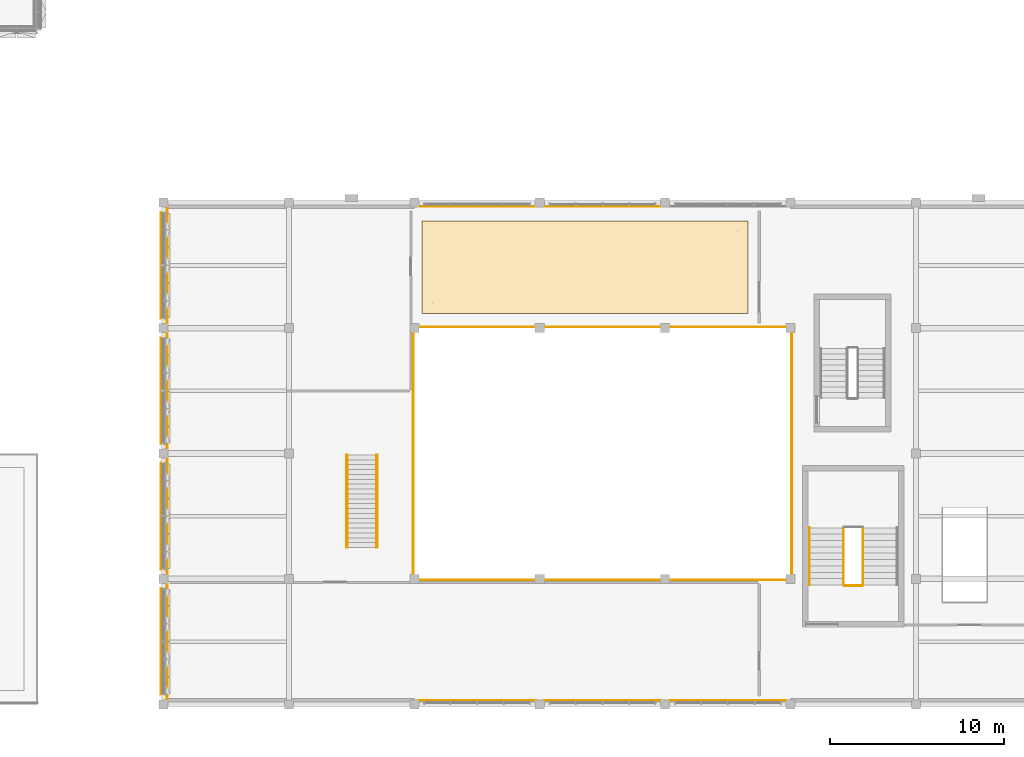
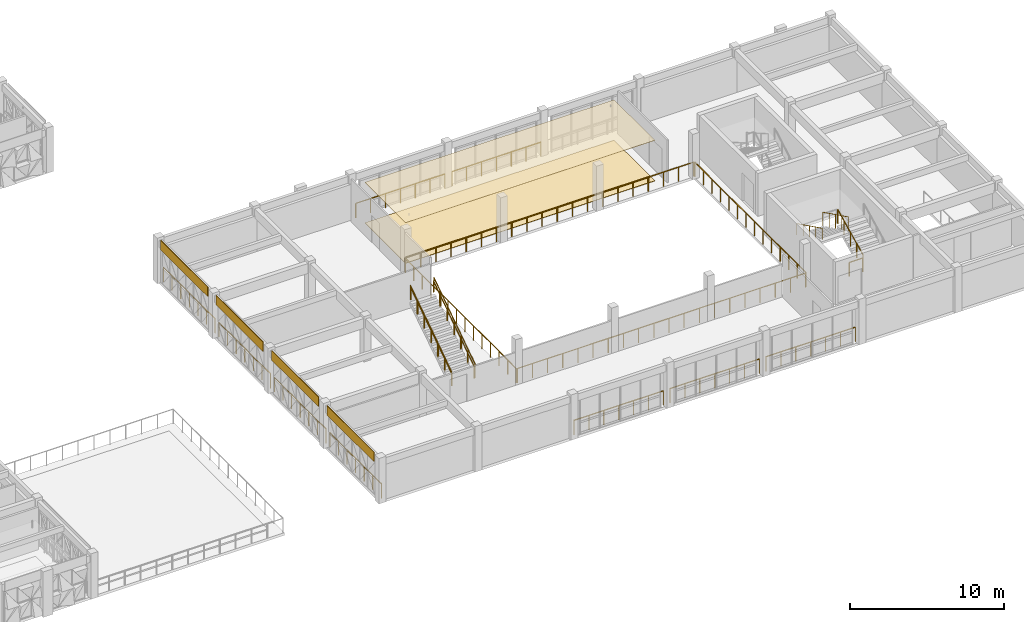
# One storey, part 82 of 99: 21 railings, 6 coverings.
"""IFC4 building model written with IfcOpenShell, lengths in metres."""

from ifc_helpers import new_model, si_unit, direction, frame, origin, origin_2d, place, context, subcontext, project, spatial, polyline, circle, outline, extrude, material, layer, layer_set, type_object, element, save


model = new_model("IFC4")

# Units and contexts
model_context = context("Model", 3, precision=1e-05, world=origin(), true_north=direction((0.0, 1.0)))
body_context = subcontext(model_context, "Body", "Model", "MODEL_VIEW")
ifc_project = project(units=[si_unit("LENGTHUNIT", "METRE"), si_unit("AREAUNIT", "SQUARE_METRE"), si_unit("VOLUMEUNIT", "CUBIC_METRE"), si_unit("PLANEANGLEUNIT", "RADIAN"), si_unit("MASSUNIT", "GRAM", prefix="KILO")], contexts=[model_context])

# Site, building, storey
site_placement = place(None, origin())
site = spatial("IfcSite", under=ifc_project, at=site_placement, CompositionType="ELEMENT")
building_placement = place(site_placement, origin())
building = spatial("IfcBuilding", under=site, at=building_placement, Name="Alvorim Cloister Faculty of Sciences", CompositionType="ELEMENT")
storey_placement = place(building_placement, frame((0.0, 0.0, 12.14990234375)))
storey = spatial("IfcBuildingStorey", under=building, at=storey_placement, Name="L03", CompositionType="ELEMENT", Elevation=12.14990234375)

# Coverings
ifc_material_1 = material(Name="Perforated Timber Acoustic Ceiling", Category="wood")
ifc_layer_1 = layer(ifc_material_1, 0.030029296875)
ifc_layer_set_1 = layer_set([ifc_layer_1], Name="Perforated Timber Acoustic Ceiling")
covering_type_1 = type_object("IfcCoveringType", Name="COV-CEIL-ACOUSTIC", PredefinedType="CEILING", material=ifc_layer_set_1)
covering_1_placement = place(storey_placement, frame((0.0, 0.0, 3.210205078125)))
element("IfcCovering", 1, at=covering_1_placement, inside=storey, type_object=covering_type_1, Name="Atrium L03 North Reading Gallery Acoustic Ceiling", PredefinedType="CEILING", context=body_context, shape_type="SweptSolid", body=[
    extrude(outline(polyline([(79.64990234375, 22.449951171875), (98.35009765625, 22.449951171875), (98.35009765625, 27.75), (79.64990234375, 27.75), (79.64990234375, 22.449951171875)])), origin(), (0.0, 0.0, 1.0), 0.02978515625),
])
ifc_material_2 = material(Name="Anodised Aluminium Alloy 6063-T6", Category="aluminium")
ifc_layer_2 = layer(ifc_material_2, 0.031982421875)
ifc_layer_set_2 = layer_set([ifc_layer_2], Name="Anodised Aluminium Alloy 6063-T6")
covering_type_2 = type_object("IfcCoveringType", Name="COV-FAC-CAS", PredefinedType="CLADDING", material=ifc_layer_set_2)
for number, where, z_axis, x_axis, name in (
    (2, (64.64990234375, 0.5400390625, 2.830078125), (0.0, 0.0, 1.0), (0.0, 1.0, 0.0), "L03 Shifted Bar Slab-Edge Architectural Fascia"),
    (3, (64.64990234375, 7.739990234375, 2.830078125), (0.0, 0.0, 1.0), (0.0, 1.0, 0.0), "L03 Shifted Bar Slab-Edge Architectural Fascia"),
    (4, (64.64990234375, 14.93994140625, 2.830078125), (0.0, 0.0, 1.0), (0.0, 1.0, 0.0), "L03 Shifted Bar Slab-Edge Architectural Fascia"),
    (5, (64.64990234375, 22.139892578125, 2.830078125), (0.0, 0.0, 1.0), (0.0, 1.0, 0.0), "L03 Shifted Bar Slab-Edge Architectural Fascia"),
):
    element("IfcCovering", number, at=place(storey_placement, frame(where, z_axis=z_axis, x_axis=x_axis)), inside=storey, type_object=covering_type_2, Name=name, PredefinedType="CLADDING", context=body_context, shape_type="SweptSolid", body=[
        extrude(outline(polyline([(0.0, 0.0), (6.1201171875, 0.0), (6.1201171875, 0.760009765625), (0.0, 0.760009765625), (0.0, 0.0)])), frame((0.0, 0.0224609375, 0.0), z_axis=(0.0, -1.0, 0.0), x_axis=(1.0, 0.0, 0.0)), (0.0, 0.0, 1.0), 0.044921875),
    ])
ifc_material_3 = material(Name="Polished Mineral Terrazzo", Category="concrete")
ifc_layer_3 = layer(ifc_material_3, 0.030029296875)
ifc_layer_set_3 = layer_set([ifc_layer_3], Name="Polished Mineral Terrazzo")
covering_type_3 = type_object("IfcCoveringType", Name="COV-FLR-TERRAZZO", PredefinedType="FLOORING", material=ifc_layer_set_3)
covering_2_placement = place(storey_placement, origin())
element("IfcCovering", 6, at=covering_2_placement, inside=storey, type_object=covering_type_3, Name="Atrium L03 North Reading Gallery Floor Finish", PredefinedType="FLOORING", context=body_context, shape_type="SweptSolid", body=[
    extrude(outline(polyline([(79.64990234375, 22.449951171875), (98.35009765625, 22.449951171875), (98.35009765625, 27.75), (79.64990234375, 27.75), (79.64990234375, 22.449951171875)])), origin(), (0.0, 0.0, 1.0), 0.030029296875),
])

# Railings
ifc_material_4 = material(Name="Laminated Safety Glass and Bronze", Category="glass")
railing_type_1 = type_object("IfcRailingType", Name="RL-ATR-BAL-1150", PredefinedType="BALUSTRADE", material=ifc_material_4)
railing_1_placement = place(storey_placement, frame((93.85009765625, 0.219970703125, 0.0)))
element("IfcRailing", 7, at=railing_1_placement, inside=storey, type_object=railing_type_1, Name="L03 Curtain Wall Sill Guard BL-149", PredefinedType="BALUSTRADE", context=body_context, shape_type="SweptSolid", body=[
    extrude(circle(Radius=0.02392578125, at=origin_2d()), frame((0.0, 0.0, 1.1259765625), z_axis=(1.0, 0.0, 0.0), x_axis=(0.0, 1.0, 0.0)), (0.0, 0.0, 1.0), 6.699951171875),
    extrude(circle(Radius=0.02099609375, at=origin_2d()), origin(), (0.0, 0.0, 1.0), 1.101806640625),
    extrude(circle(Radius=0.02099609375, at=origin_2d()), frame((1.11669921875, 0.0, 0.0)), (0.0, 0.0, 1.0), 1.101806640625),
    extrude(circle(Radius=0.02099609375, at=origin_2d()), frame((2.2333984375, 0.0, 0.0)), (0.0, 0.0, 1.0), 1.101806640625),
    extrude(circle(Radius=0.02099609375, at=origin_2d()), frame((3.35009765625, 0.0, 0.0)), (0.0, 0.0, 1.0), 1.101806640625),
    extrude(circle(Radius=0.02099609375, at=origin_2d()), frame((4.466552734375, 0.0, 0.0)), (0.0, 0.0, 1.0), 1.101806640625),
    extrude(circle(Radius=0.02099609375, at=origin_2d()), frame((5.583251953125, 0.0, 0.0)), (0.0, 0.0, 1.0), 1.101806640625),
    extrude(circle(Radius=0.02099609375, at=origin_2d()), frame((6.699951171875, 0.0, 0.0)), (0.0, 0.0, 1.0), 1.101806640625),
])
railing_2_placement = place(storey_placement, frame((86.64990234375, 0.219970703125, 0.0)))
element("IfcRailing", 8, at=railing_2_placement, inside=storey, type_object=railing_type_1, Name="L03 Curtain Wall Sill Guard BL-150", PredefinedType="BALUSTRADE", context=body_context, shape_type="SweptSolid", body=[
    extrude(circle(Radius=0.02392578125, at=origin_2d()), frame((0.0, 0.0, 1.1259765625), z_axis=(1.0, 0.0, 0.0), x_axis=(0.0, 1.0, 0.0)), (0.0, 0.0, 1.0), 6.7001953125),
    extrude(circle(Radius=0.02099609375, at=origin_2d()), origin(), (0.0, 0.0, 1.0), 1.101806640625),
    extrude(circle(Radius=0.02099609375, at=origin_2d()), frame((1.11669921875, 0.0, 0.0)), (0.0, 0.0, 1.0), 1.101806640625),
    extrude(circle(Radius=0.02099609375, at=origin_2d()), frame((2.2333984375, 0.0, 0.0)), (0.0, 0.0, 1.0), 1.101806640625),
    extrude(circle(Radius=0.02099609375, at=origin_2d()), frame((3.35009765625, 0.0, 0.0)), (0.0, 0.0, 1.0), 1.101806640625),
    extrude(circle(Radius=0.02099609375, at=origin_2d()), frame((4.466796875, 0.0, 0.0)), (0.0, 0.0, 1.0), 1.101806640625),
    extrude(circle(Radius=0.02099609375, at=origin_2d()), frame((5.58349609375, 0.0, 0.0)), (0.0, 0.0, 1.0), 1.101806640625),
    extrude(circle(Radius=0.02099609375, at=origin_2d()), frame((6.7001953125, 0.0, 0.0)), (0.0, 0.0, 1.0), 1.101806640625),
])
railing_3_placement = place(storey_placement, frame((79.449951171875, 0.219970703125, 0.0)))
element("IfcRailing", 9, at=railing_3_placement, inside=storey, type_object=railing_type_1, Name="L03 Curtain Wall Sill Guard BL-151", PredefinedType="BALUSTRADE", context=body_context, shape_type="SweptSolid", body=[
    extrude(circle(Radius=0.02392578125, at=origin_2d()), frame((0.0, 0.0, 1.1259765625), z_axis=(1.0, 0.0, 0.0), x_axis=(0.0, 1.0, 0.0)), (0.0, 0.0, 1.0), 6.699951171875),
    extrude(circle(Radius=0.02099609375, at=origin_2d()), origin(), (0.0, 0.0, 1.0), 1.101806640625),
    extrude(circle(Radius=0.02099609375, at=origin_2d()), frame((1.11669921875, 0.0, 0.0)), (0.0, 0.0, 1.0), 1.101806640625),
    extrude(circle(Radius=0.02099609375, at=origin_2d()), frame((2.2333984375, 0.0, 0.0)), (0.0, 0.0, 1.0), 1.101806640625),
    extrude(circle(Radius=0.02099609375, at=origin_2d()), frame((3.35009765625, 0.0, 0.0)), (0.0, 0.0, 1.0), 1.101806640625),
    extrude(circle(Radius=0.02099609375, at=origin_2d()), frame((4.466552734375, 0.0, 0.0)), (0.0, 0.0, 1.0), 1.101806640625),
    extrude(circle(Radius=0.02099609375, at=origin_2d()), frame((5.583251953125, 0.0, 0.0)), (0.0, 0.0, 1.0), 1.101806640625),
    extrude(circle(Radius=0.02099609375, at=origin_2d()), frame((6.699951171875, 0.0, 0.0)), (0.0, 0.0, 1.0), 1.101806640625),
])
for number, where, name in (
    (10, (65.02001953125, 0.25, 0.0), "L03 Curtain Wall Sill Guard BL-152"),
    (11, (65.02001953125, 7.449951171875, 0.0), "L03 Curtain Wall Sill Guard BL-153"),
):
    element("IfcRailing", number, at=place(storey_placement, frame(where)), inside=storey, type_object=railing_type_1, Name=name, PredefinedType="BALUSTRADE", context=body_context, shape_type="SweptSolid", body=[
        extrude(circle(Radius=0.02392578125, at=origin_2d()), frame((0.0, 0.0, 1.1259765625), z_axis=(0.0, 1.0, 0.0), x_axis=(-1.0, 0.0, 0.0)), (0.0, 0.0, 1.0), 6.699951171875),
        extrude(circle(Radius=0.02099609375, at=origin_2d()), origin(), (0.0, 0.0, 1.0), 1.101806640625),
        extrude(circle(Radius=0.02099609375, at=origin_2d()), frame((0.0, 1.11669921875, 0.0)), (0.0, 0.0, 1.0), 1.101806640625),
        extrude(circle(Radius=0.02099609375, at=origin_2d()), frame((0.0, 2.2333984375, 0.0)), (0.0, 0.0, 1.0), 1.101806640625),
        extrude(circle(Radius=0.02099609375, at=origin_2d()), frame((0.0, 3.35009765625, 0.0)), (0.0, 0.0, 1.0), 1.101806640625),
        extrude(circle(Radius=0.02099609375, at=origin_2d()), frame((0.0, 4.466552734375, 0.0)), (0.0, 0.0, 1.0), 1.101806640625),
        extrude(circle(Radius=0.02099609375, at=origin_2d()), frame((0.0, 5.583251953125, 0.0)), (0.0, 0.0, 1.0), 1.101806640625),
        extrude(circle(Radius=0.02099609375, at=origin_2d()), frame((0.0, 6.699951171875, 0.0)), (0.0, 0.0, 1.0), 1.101806640625),
    ])
railing_4_placement = place(storey_placement, frame((65.02001953125, 14.64990234375, 0.0)))
element("IfcRailing", 12, at=railing_4_placement, inside=storey, type_object=railing_type_1, Name="L03 Curtain Wall Sill Guard BL-154", PredefinedType="BALUSTRADE", context=body_context, shape_type="SweptSolid", body=[
    extrude(circle(Radius=0.02392578125, at=origin_2d()), frame((0.0, 0.0, 1.1259765625), z_axis=(0.0, 1.0, 0.0), x_axis=(-1.0, 0.0, 0.0)), (0.0, 0.0, 1.0), 6.7001953125),
    extrude(circle(Radius=0.02099609375, at=origin_2d()), origin(), (0.0, 0.0, 1.0), 1.101806640625),
    extrude(circle(Radius=0.02099609375, at=origin_2d()), frame((0.0, 1.11669921875, 0.0)), (0.0, 0.0, 1.0), 1.101806640625),
    extrude(circle(Radius=0.02099609375, at=origin_2d()), frame((0.0, 2.2333984375, 0.0)), (0.0, 0.0, 1.0), 1.101806640625),
    extrude(circle(Radius=0.02099609375, at=origin_2d()), frame((0.0, 3.35009765625, 0.0)), (0.0, 0.0, 1.0), 1.101806640625),
    extrude(circle(Radius=0.02099609375, at=origin_2d()), frame((0.0, 4.466796875, 0.0)), (0.0, 0.0, 1.0), 1.101806640625),
    extrude(circle(Radius=0.02099609375, at=origin_2d()), frame((0.0, 5.58349609375, 0.0)), (0.0, 0.0, 1.0), 1.101806640625),
    extrude(circle(Radius=0.02099609375, at=origin_2d()), frame((0.0, 6.7001953125, 0.0)), (0.0, 0.0, 1.0), 1.101806640625),
])
railing_5_placement = place(storey_placement, frame((65.02001953125, 21.85009765625, 0.0)))
element("IfcRailing", 13, at=railing_5_placement, inside=storey, type_object=railing_type_1, Name="L03 Curtain Wall Sill Guard BL-155", PredefinedType="BALUSTRADE", context=body_context, shape_type="SweptSolid", body=[
    extrude(circle(Radius=0.02392578125, at=origin_2d()), frame((0.0, 0.0, 1.1259765625), z_axis=(0.0, 1.0, 0.0), x_axis=(-1.0, 0.0, 0.0)), (0.0, 0.0, 1.0), 6.699951171875),
    extrude(circle(Radius=0.02099609375, at=origin_2d()), origin(), (0.0, 0.0, 1.0), 1.101806640625),
    extrude(circle(Radius=0.02099609375, at=origin_2d()), frame((0.0, 1.11669921875, 0.0)), (0.0, 0.0, 1.0), 1.101806640625),
    extrude(circle(Radius=0.02099609375, at=origin_2d()), frame((0.0, 2.2333984375, 0.0)), (0.0, 0.0, 1.0), 1.101806640625),
    extrude(circle(Radius=0.02099609375, at=origin_2d()), frame((0.0, 3.35009765625, 0.0)), (0.0, 0.0, 1.0), 1.101806640625),
    extrude(circle(Radius=0.02099609375, at=origin_2d()), frame((0.0, 4.466552734375, 0.0)), (0.0, 0.0, 1.0), 1.101806640625),
    extrude(circle(Radius=0.02099609375, at=origin_2d()), frame((0.0, 5.583251953125, 0.0)), (0.0, 0.0, 1.0), 1.101806640625),
    extrude(circle(Radius=0.02099609375, at=origin_2d()), frame((0.0, 6.699951171875, 0.0)), (0.0, 0.0, 1.0), 1.101806640625),
])
railing_6_placement = place(storey_placement, frame((79.449951171875, 28.580078125, 0.0)))
element("IfcRailing", 14, at=railing_6_placement, inside=storey, type_object=railing_type_1, Name="L03 Curtain Wall Sill Guard BL-156", PredefinedType="BALUSTRADE", context=body_context, shape_type="SweptSolid", body=[
    extrude(circle(Radius=0.02392578125, at=origin_2d()), frame((0.0, 0.0, 1.1259765625), z_axis=(1.0, 0.0, 0.0), x_axis=(0.0, 1.0, 0.0)), (0.0, 0.0, 1.0), 6.699951171875),
    extrude(circle(Radius=0.02099609375, at=origin_2d()), origin(), (0.0, 0.0, 1.0), 1.101806640625),
    extrude(circle(Radius=0.02099609375, at=origin_2d()), frame((1.11669921875, 0.0, 0.0)), (0.0, 0.0, 1.0), 1.101806640625),
    extrude(circle(Radius=0.02099609375, at=origin_2d()), frame((2.2333984375, 0.0, 0.0)), (0.0, 0.0, 1.0), 1.101806640625),
    extrude(circle(Radius=0.02099609375, at=origin_2d()), frame((3.35009765625, 0.0, 0.0)), (0.0, 0.0, 1.0), 1.101806640625),
    extrude(circle(Radius=0.02099609375, at=origin_2d()), frame((4.466552734375, 0.0, 0.0)), (0.0, 0.0, 1.0), 1.101806640625),
    extrude(circle(Radius=0.02099609375, at=origin_2d()), frame((5.583251953125, 0.0, 0.0)), (0.0, 0.0, 1.0), 1.101806640625),
    extrude(circle(Radius=0.02099609375, at=origin_2d()), frame((6.699951171875, 0.0, 0.0)), (0.0, 0.0, 1.0), 1.101806640625),
])
railing_7_placement = place(storey_placement, frame((86.64990234375, 28.580078125, 0.0)))
element("IfcRailing", 15, at=railing_7_placement, inside=storey, type_object=railing_type_1, Name="L03 Curtain Wall Sill Guard BL-157", PredefinedType="BALUSTRADE", context=body_context, shape_type="SweptSolid", body=[
    extrude(circle(Radius=0.02392578125, at=origin_2d()), frame((0.0, 0.0, 1.1259765625), z_axis=(1.0, 0.0, 0.0), x_axis=(0.0, 1.0, 0.0)), (0.0, 0.0, 1.0), 6.7001953125),
    extrude(circle(Radius=0.02099609375, at=origin_2d()), origin(), (0.0, 0.0, 1.0), 1.101806640625),
    extrude(circle(Radius=0.02099609375, at=origin_2d()), frame((1.11669921875, 0.0, 0.0)), (0.0, 0.0, 1.0), 1.101806640625),
    extrude(circle(Radius=0.02099609375, at=origin_2d()), frame((2.2333984375, 0.0, 0.0)), (0.0, 0.0, 1.0), 1.101806640625),
    extrude(circle(Radius=0.02099609375, at=origin_2d()), frame((3.35009765625, 0.0, 0.0)), (0.0, 0.0, 1.0), 1.101806640625),
    extrude(circle(Radius=0.02099609375, at=origin_2d()), frame((4.466796875, 0.0, 0.0)), (0.0, 0.0, 1.0), 1.101806640625),
    extrude(circle(Radius=0.02099609375, at=origin_2d()), frame((5.58349609375, 0.0, 0.0)), (0.0, 0.0, 1.0), 1.101806640625),
    extrude(circle(Radius=0.02099609375, at=origin_2d()), frame((6.7001953125, 0.0, 0.0)), (0.0, 0.0, 1.0), 1.101806640625),
])
railing_8_placement = place(storey_placement, frame((79.18994140625, 7.139892578125, 0.0)))
element("IfcRailing", 16, at=railing_8_placement, inside=storey, type_object=railing_type_1, Name="L03 Atrium Void Balustrade BL-323", PredefinedType="BALUSTRADE", context=body_context, shape_type="SweptSolid", body=[
    extrude(circle(Radius=0.02392578125, at=origin_2d()), frame((0.0, 0.0, 1.1259765625), z_axis=(1.0, 0.0, 0.0), x_axis=(0.0, 1.0, 0.0)), (0.0, 0.0, 1.0), 21.6201171875),
    extrude(circle(Radius=0.02099609375, at=origin_2d()), origin(), (0.0, 0.0, 1.0), 1.101806640625),
    extrude(circle(Radius=0.02099609375, at=origin_2d()), frame((1.137939453125, 0.0, 0.0)), (0.0, 0.0, 1.0), 1.101806640625),
    extrude(circle(Radius=0.02099609375, at=origin_2d()), frame((2.27587890625, 0.0, 0.0)), (0.0, 0.0, 1.0), 1.101806640625),
    extrude(circle(Radius=0.02099609375, at=origin_2d()), frame((3.413818359375, 0.0, 0.0)), (0.0, 0.0, 1.0), 1.101806640625),
    extrude(circle(Radius=0.02099609375, at=origin_2d()), frame((4.551513671875, 0.0, 0.0)), (0.0, 0.0, 1.0), 1.101806640625),
    extrude(circle(Radius=0.02099609375, at=origin_2d()), frame((5.689453125, 0.0, 0.0)), (0.0, 0.0, 1.0), 1.101806640625),
    extrude(circle(Radius=0.02099609375, at=origin_2d()), frame((6.827392578125, 0.0, 0.0)), (0.0, 0.0, 1.0), 1.101806640625),
    extrude(circle(Radius=0.02099609375, at=origin_2d()), frame((7.96533203125, 0.0, 0.0)), (0.0, 0.0, 1.0), 1.101806640625),
    extrude(circle(Radius=0.02099609375, at=origin_2d()), frame((9.103271484375, 0.0, 0.0)), (0.0, 0.0, 1.0), 1.101806640625),
    extrude(circle(Radius=0.02099609375, at=origin_2d()), frame((10.2412109375, 0.0, 0.0)), (0.0, 0.0, 1.0), 1.101806640625),
    extrude(circle(Radius=0.02099609375, at=origin_2d()), frame((11.37890625, 0.0, 0.0)), (0.0, 0.0, 1.0), 1.101806640625),
    extrude(circle(Radius=0.02099609375, at=origin_2d()), frame((12.516845703125, 0.0, 0.0)), (0.0, 0.0, 1.0), 1.101806640625),
    extrude(circle(Radius=0.02099609375, at=origin_2d()), frame((13.65478515625, 0.0, 0.0)), (0.0, 0.0, 1.0), 1.101806640625),
    extrude(circle(Radius=0.02099609375, at=origin_2d()), frame((14.792724609375, 0.0, 0.0)), (0.0, 0.0, 1.0), 1.101806640625),
    extrude(circle(Radius=0.02099609375, at=origin_2d()), frame((15.9306640625, 0.0, 0.0)), (0.0, 0.0, 1.0), 1.101806640625),
    extrude(circle(Radius=0.02099609375, at=origin_2d()), frame((17.068603515625, 0.0, 0.0)), (0.0, 0.0, 1.0), 1.101806640625),
    extrude(circle(Radius=0.02099609375, at=origin_2d()), frame((18.206298828125, 0.0, 0.0)), (0.0, 0.0, 1.0), 1.101806640625),
    extrude(circle(Radius=0.02099609375, at=origin_2d()), frame((19.34423828125, 0.0, 0.0)), (0.0, 0.0, 1.0), 1.101806640625),
    extrude(circle(Radius=0.02099609375, at=origin_2d()), frame((20.482177734375, 0.0, 0.0)), (0.0, 0.0, 1.0), 1.101806640625),
    extrude(circle(Radius=0.02099609375, at=origin_2d()), frame((21.6201171875, 0.0, 0.0)), (0.0, 0.0, 1.0), 1.101806640625),
])
railing_9_placement = place(storey_placement, frame((100.860107421875, 7.18994140625, 0.0)))
element("IfcRailing", 17, at=railing_9_placement, inside=storey, type_object=railing_type_1, Name="L03 Atrium Void Balustrade BL-324", PredefinedType="BALUSTRADE", context=body_context, shape_type="SweptSolid", body=[
    extrude(circle(Radius=0.02392578125, at=origin_2d()), frame((0.0, 0.0, 1.1259765625), z_axis=(0.0, 1.0, 0.0), x_axis=(-1.0, 0.0, 0.0)), (0.0, 0.0, 1.0), 14.420166015625),
    extrude(circle(Radius=0.02099609375, at=origin_2d()), origin(), (0.0, 0.0, 1.0), 1.101806640625),
    extrude(circle(Radius=0.02099609375, at=origin_2d()), frame((0.0, 1.109130859375, 0.0)), (0.0, 0.0, 1.0), 1.101806640625),
    extrude(circle(Radius=0.02099609375, at=origin_2d()), frame((0.0, 2.218505859375, 0.0)), (0.0, 0.0, 1.0), 1.101806640625),
    extrude(circle(Radius=0.02099609375, at=origin_2d()), frame((0.0, 3.32763671875, 0.0)), (0.0, 0.0, 1.0), 1.101806640625),
    extrude(circle(Radius=0.02099609375, at=origin_2d()), frame((0.0, 4.43701171875, 0.0)), (0.0, 0.0, 1.0), 1.101806640625),
    extrude(circle(Radius=0.02099609375, at=origin_2d()), frame((0.0, 5.546142578125, 0.0)), (0.0, 0.0, 1.0), 1.101806640625),
    extrude(circle(Radius=0.02099609375, at=origin_2d()), frame((0.0, 6.655517578125, 0.0)), (0.0, 0.0, 1.0), 1.101806640625),
    extrude(circle(Radius=0.02099609375, at=origin_2d()), frame((0.0, 7.7646484375, 0.0)), (0.0, 0.0, 1.0), 1.101806640625),
    extrude(circle(Radius=0.02099609375, at=origin_2d()), frame((0.0, 8.8740234375, 0.0)), (0.0, 0.0, 1.0), 1.101806640625),
    extrude(circle(Radius=0.02099609375, at=origin_2d()), frame((0.0, 9.983154296875, 0.0)), (0.0, 0.0, 1.0), 1.101806640625),
    extrude(circle(Radius=0.02099609375, at=origin_2d()), frame((0.0, 11.092529296875, 0.0)), (0.0, 0.0, 1.0), 1.101806640625),
    extrude(circle(Radius=0.02099609375, at=origin_2d()), frame((0.0, 12.20166015625, 0.0)), (0.0, 0.0, 1.0), 1.101806640625),
    extrude(circle(Radius=0.02099609375, at=origin_2d()), frame((0.0, 13.31103515625, 0.0)), (0.0, 0.0, 1.0), 1.101806640625),
    extrude(circle(Radius=0.02099609375, at=origin_2d()), frame((0.0, 14.420166015625, 0.0)), (0.0, 0.0, 1.0), 1.101806640625),
])
railing_10_placement = place(storey_placement, frame((100.81005859375, 21.659912109375, 0.0)))
element("IfcRailing", 18, at=railing_10_placement, inside=storey, type_object=railing_type_1, Name="L03 Atrium Void Balustrade BL-325", PredefinedType="BALUSTRADE", context=body_context, shape_type="SweptSolid", body=[
    extrude(circle(Radius=0.02392578125, at=origin_2d()), frame((0.0, 0.0, 1.1259765625), z_axis=(-1.0, 0.0, 0.0), x_axis=(0.0, -1.0, 0.0)), (0.0, 0.0, 1.0), 21.6201171875),
    extrude(circle(Radius=0.02099609375, at=origin_2d()), origin(), (0.0, 0.0, 1.0), 1.101806640625),
    extrude(circle(Radius=0.02099609375, at=origin_2d()), frame((-1.137939453125, 0.0, 0.0)), (0.0, 0.0, 1.0), 1.101806640625),
    extrude(circle(Radius=0.02099609375, at=origin_2d()), frame((-2.27587890625, 0.0, 0.0)), (0.0, 0.0, 1.0), 1.101806640625),
    extrude(circle(Radius=0.02099609375, at=origin_2d()), frame((-3.413818359375, 0.0, 0.0)), (0.0, 0.0, 1.0), 1.101806640625),
    extrude(circle(Radius=0.02099609375, at=origin_2d()), frame((-4.551513671875, 0.0, 0.0)), (0.0, 0.0, 1.0), 1.101806640625),
    extrude(circle(Radius=0.02099609375, at=origin_2d()), frame((-5.689453125, 0.0, 0.0)), (0.0, 0.0, 1.0), 1.101806640625),
    extrude(circle(Radius=0.02099609375, at=origin_2d()), frame((-6.827392578125, 0.0, 0.0)), (0.0, 0.0, 1.0), 1.101806640625),
    extrude(circle(Radius=0.02099609375, at=origin_2d()), frame((-7.96533203125, 0.0, 0.0)), (0.0, 0.0, 1.0), 1.101806640625),
    extrude(circle(Radius=0.02099609375, at=origin_2d()), frame((-9.103271484375, 0.0, 0.0)), (0.0, 0.0, 1.0), 1.101806640625),
    extrude(circle(Radius=0.02099609375, at=origin_2d()), frame((-10.2412109375, 0.0, 0.0)), (0.0, 0.0, 1.0), 1.101806640625),
    extrude(circle(Radius=0.02099609375, at=origin_2d()), frame((-11.37890625, 0.0, 0.0)), (0.0, 0.0, 1.0), 1.101806640625),
    extrude(circle(Radius=0.02099609375, at=origin_2d()), frame((-12.516845703125, 0.0, 0.0)), (0.0, 0.0, 1.0), 1.101806640625),
    extrude(circle(Radius=0.02099609375, at=origin_2d()), frame((-13.65478515625, 0.0, 0.0)), (0.0, 0.0, 1.0), 1.101806640625),
    extrude(circle(Radius=0.02099609375, at=origin_2d()), frame((-14.792724609375, 0.0, 0.0)), (0.0, 0.0, 1.0), 1.101806640625),
    extrude(circle(Radius=0.02099609375, at=origin_2d()), frame((-15.9306640625, 0.0, 0.0)), (0.0, 0.0, 1.0), 1.101806640625),
    extrude(circle(Radius=0.02099609375, at=origin_2d()), frame((-17.068603515625, 0.0, 0.0)), (0.0, 0.0, 1.0), 1.101806640625),
    extrude(circle(Radius=0.02099609375, at=origin_2d()), frame((-18.206298828125, 0.0, 0.0)), (0.0, 0.0, 1.0), 1.101806640625),
    extrude(circle(Radius=0.02099609375, at=origin_2d()), frame((-19.34423828125, 0.0, 0.0)), (0.0, 0.0, 1.0), 1.101806640625),
    extrude(circle(Radius=0.02099609375, at=origin_2d()), frame((-20.482177734375, 0.0, 0.0)), (0.0, 0.0, 1.0), 1.101806640625),
    extrude(circle(Radius=0.02099609375, at=origin_2d()), frame((-21.6201171875, 0.0, 0.0)), (0.0, 0.0, 1.0), 1.101806640625),
])
railing_11_placement = place(storey_placement, frame((79.139892578125, 21.610107421875, 0.0)))
element("IfcRailing", 19, at=railing_11_placement, inside=storey, type_object=railing_type_1, Name="L03 Atrium Void Balustrade BL-326", PredefinedType="BALUSTRADE", context=body_context, shape_type="SweptSolid", body=[
    extrude(circle(Radius=0.02392578125, at=origin_2d()), frame((0.0, 0.0, 1.1259765625), z_axis=(0.0, -1.0, 0.0), x_axis=(1.0, 0.0, 0.0)), (0.0, 0.0, 1.0), 14.420166015625),
    extrude(circle(Radius=0.02099609375, at=origin_2d()), origin(), (0.0, 0.0, 1.0), 1.101806640625),
    extrude(circle(Radius=0.02099609375, at=origin_2d()), frame((0.0, -1.109130859375, 0.0)), (0.0, 0.0, 1.0), 1.101806640625),
    extrude(circle(Radius=0.02099609375, at=origin_2d()), frame((0.0, -2.218505859375, 0.0)), (0.0, 0.0, 1.0), 1.101806640625),
    extrude(circle(Radius=0.02099609375, at=origin_2d()), frame((0.0, -3.32763671875, 0.0)), (0.0, 0.0, 1.0), 1.101806640625),
    extrude(circle(Radius=0.02099609375, at=origin_2d()), frame((0.0, -4.43701171875, 0.0)), (0.0, 0.0, 1.0), 1.101806640625),
    extrude(circle(Radius=0.02099609375, at=origin_2d()), frame((0.0, -5.546142578125, 0.0)), (0.0, 0.0, 1.0), 1.101806640625),
    extrude(circle(Radius=0.02099609375, at=origin_2d()), frame((0.0, -6.655517578125, 0.0)), (0.0, 0.0, 1.0), 1.101806640625),
    extrude(circle(Radius=0.02099609375, at=origin_2d()), frame((0.0, -7.7646484375, 0.0)), (0.0, 0.0, 1.0), 1.101806640625),
    extrude(circle(Radius=0.02099609375, at=origin_2d()), frame((0.0, -8.8740234375, 0.0)), (0.0, 0.0, 1.0), 1.101806640625),
    extrude(circle(Radius=0.02099609375, at=origin_2d()), frame((0.0, -9.983154296875, 0.0)), (0.0, 0.0, 1.0), 1.101806640625),
    extrude(circle(Radius=0.02099609375, at=origin_2d()), frame((0.0, -11.092529296875, 0.0)), (0.0, 0.0, 1.0), 1.101806640625),
    extrude(circle(Radius=0.02099609375, at=origin_2d()), frame((0.0, -12.20166015625, 0.0)), (0.0, 0.0, 1.0), 1.101806640625),
    extrude(circle(Radius=0.02099609375, at=origin_2d()), frame((0.0, -13.31103515625, 0.0)), (0.0, 0.0, 1.0), 1.101806640625),
    extrude(circle(Radius=0.02099609375, at=origin_2d()), frame((0.0, -14.420166015625, 0.0)), (0.0, 0.0, 1.0), 1.101806640625),
])
ifc_material_5 = material(Name="Brushed Bronze", Category="metal")
railing_type_2 = type_object("IfcRailingType", Name="RL-MON-HAND", PredefinedType="HANDRAIL", material=ifc_material_5)
for number, where, name in (
    (20, (77.0400390625, 9.0, 0.0), "MST-L03-ATR Handrail 1"),
    (21, (75.360107421875, 9.0, 0.0), "MST-L03-ATR Handrail 2"),
):
    element("IfcRailing", number, at=place(storey_placement, frame(where)), inside=storey, type_object=railing_type_2, Name=name, PredefinedType="HANDRAIL", context=body_context, shape_type="SweptSolid", body=[
        extrude(circle(Radius=0.02392578125, at=origin_2d()), frame((0.0, 0.0, 0.89599609375), z_axis=(0.0, 0.828194691369, 0.56044049924), x_axis=(-1.0, 0.0, 0.0)), (0.0, 0.0, 1.0), 6.423583984375),
        extrude(circle(Radius=0.02099609375, at=origin_2d()), origin(), (0.0, 0.0, 1.0), 0.871826171875),
        extrude(circle(Radius=0.02099609375, at=origin_2d()), frame((0.0, 0.88671875, 0.60009765625)), (0.0, 0.0, 1.0), 0.871826171875),
        extrude(circle(Radius=0.02099609375, at=origin_2d()), frame((0.0, 1.7734375, 1.199951171875)), (0.0, 0.0, 1.0), 0.871826171875),
        extrude(circle(Radius=0.02099609375, at=origin_2d()), frame((0.0, 2.66015625, 1.800048828125)), (0.0, 0.0, 1.0), 0.871826171875),
        extrude(circle(Radius=0.02099609375, at=origin_2d()), frame((0.0, 3.546630859375, 2.400146484375)), (0.0, 0.0, 1.0), 0.871826171875),
        extrude(circle(Radius=0.02099609375, at=origin_2d()), frame((0.0, 4.433349609375, 3.0)), (0.0, 0.0, 1.0), 0.871826171875),
        extrude(circle(Radius=0.02099609375, at=origin_2d()), frame((0.0, 5.320068359375, 3.60009765625)), (0.0, 0.0, 1.0), 0.871826171875),
    ])
ifc_material_6 = material(Name="Galvanised Painted Steel", Category="steel")
railing_type_3 = type_object("IfcRailingType", Name="RL-STR-GUARD", PredefinedType="GUARDRAIL", material=ifc_material_6)
railing_12_placement = place(storey_placement, frame((104.9599609375, 6.85009765625, 0.18017578125)))
element("IfcRailing", 22, at=railing_12_placement, inside=storey, type_object=railing_type_3, Name="L03 ST-12 stair guard 1", PredefinedType="GUARDRAIL", context=body_context, shape_type="SweptSolid", body=[
    extrude(circle(Radius=0.02392578125, at=origin_2d()), frame((0.0, 0.0, 1.09619140625), z_axis=(0.0, 0.896879925781, 0.442274121706), x_axis=(-1.0, 0.0, 0.0)), (0.0, 0.0, 1.0), 3.66259765625),
    extrude(circle(Radius=0.02099609375, at=origin_2d()), origin(), (0.0, 0.0, 1.0), 1.072021484375),
    extrude(circle(Radius=0.02099609375, at=origin_2d()), frame((0.0, 0.8212890625, 0.405029296875)), (0.0, 0.0, 1.0), 1.072021484375),
    extrude(circle(Radius=0.02099609375, at=origin_2d()), frame((0.0, 1.642578125, 0.81005859375)), (0.0, 0.0, 1.0), 1.072021484375),
    extrude(circle(Radius=0.02099609375, at=origin_2d()), frame((0.0, 2.463623046875, 1.21484375)), (0.0, 0.0, 1.0), 1.072021484375),
    extrude(circle(Radius=0.02099609375, at=origin_2d()), frame((0.0, 3.284912109375, 1.619873046875)), (0.0, 0.0, 1.0), 1.072021484375),
])
railing_13_placement = place(storey_placement, frame((103.840087890625, 10.135009765625, 1.97998046875)))
element("IfcRailing", 23, at=railing_13_placement, inside=storey, type_object=railing_type_3, Name="L03 ST-12 stair guard 3", PredefinedType="GUARDRAIL", context=body_context, shape_type="SweptSolid", body=[
    extrude(circle(Radius=0.02392578125, at=origin_2d()), frame((0.0, 0.0, 1.09619140625), z_axis=(0.0, -0.896853484046, 0.442327738397), x_axis=(1.0, 0.0, 0.0)), (0.0, 0.0, 1.0), 3.66259765625),
    extrude(circle(Radius=0.02099609375, at=origin_2d()), origin(), (0.0, 0.0, 1.0), 1.072021484375),
    extrude(circle(Radius=0.02099609375, at=origin_2d()), frame((0.0, -0.8212890625, 0.405029296875)), (0.0, 0.0, 1.0), 1.072021484375),
    extrude(circle(Radius=0.02099609375, at=origin_2d()), frame((0.0, -1.642578125, 0.81005859375)), (0.0, 0.0, 1.0), 1.072021484375),
    extrude(circle(Radius=0.02099609375, at=origin_2d()), frame((0.0, -2.463623046875, 1.215087890625)), (0.0, 0.0, 1.0), 1.072021484375),
    extrude(circle(Radius=0.02099609375, at=origin_2d()), frame((0.0, -3.284912109375, 1.6201171875)), (0.0, 0.0, 1.0), 1.072021484375),
])
railing_14_placement = place(storey_placement, frame((104.909912109375, 6.800048828125, 0.0)))
element("IfcRailing", 24, at=railing_14_placement, inside=storey, type_object=railing_type_3, Name="L03 ST-12 stair guard 4", PredefinedType="GUARDRAIL", context=body_context, shape_type="SweptSolid", body=[
    extrude(circle(Radius=0.02392578125, at=origin_2d()), frame((0.0, 0.0, 1.09619140625), z_axis=(-1.0, 0.0, 0.0), x_axis=(0.0, -1.0, 0.0)), (0.0, 0.0, 1.0), 1.02001953125),
    extrude(circle(Radius=0.02099609375, at=origin_2d()), origin(), (0.0, 0.0, 1.0), 1.072021484375),
    extrude(circle(Radius=0.02099609375, at=origin_2d()), frame((-1.02001953125, 0.0, 0.0)), (0.0, 0.0, 1.0), 1.072021484375),
])
ifc_material_7 = material(Name="Brushed Stainless Steel", Category="steel")
railing_type_4 = type_object("IfcRailingType", Name="RL-STR-HAND", PredefinedType="HANDRAIL", material=ifc_material_7)
railing_15_placement = place(storey_placement, frame((101.889892578125, 10.135009765625, 1.97998046875)))
element("IfcRailing", 25, at=railing_15_placement, inside=storey, type_object=railing_type_4, Name="L03 ST-12 stair handrail 2", PredefinedType="HANDRAIL", context=body_context, shape_type="SweptSolid", body=[
    extrude(circle(Radius=0.02392578125, at=origin_2d()), frame((0.0, 0.0, 0.8759765625), z_axis=(0.0, -0.896853484046, 0.442327738397), x_axis=(1.0, 0.0, 0.0)), (0.0, 0.0, 1.0), 3.66259765625),
    extrude(circle(Radius=0.02099609375, at=origin_2d()), origin(), (0.0, 0.0, 1.0), 0.851806640625),
    extrude(circle(Radius=0.02099609375, at=origin_2d()), frame((0.0, -0.8212890625, 0.405029296875)), (0.0, 0.0, 1.0), 0.851806640625),
    extrude(circle(Radius=0.02099609375, at=origin_2d()), frame((0.0, -1.642578125, 0.81005859375)), (0.0, 0.0, 1.0), 0.851806640625),
    extrude(circle(Radius=0.02099609375, at=origin_2d()), frame((0.0, -2.463623046875, 1.215087890625)), (0.0, 0.0, 1.0), 0.851806640625),
    extrude(circle(Radius=0.02099609375, at=origin_2d()), frame((0.0, -3.284912109375, 1.6201171875)), (0.0, 0.0, 1.0), 0.851806640625),
])
railing_type_5 = type_object("IfcRailingType", Name="RL-TER-GUARD-1150", PredefinedType="GUARDRAIL", material=ifc_material_6)
for number, where, name in (
    (26, (77.080078125, 9.0, 0.0), "MST-L03-ATR Flight Guard 1"),
    (27, (75.320068359375, 9.0, 0.0), "MST-L03-ATR Flight Guard 2"),
):
    element("IfcRailing", number, at=place(storey_placement, frame(where)), inside=storey, type_object=railing_type_5, Name=name, PredefinedType="GUARDRAIL", context=body_context, shape_type="SweptSolid", body=[
        extrude(circle(Radius=0.02392578125, at=origin_2d()), frame((0.0, 0.0, 1.1259765625), z_axis=(0.0, 0.828194691369, 0.56044049924), x_axis=(-1.0, 0.0, 0.0)), (0.0, 0.0, 1.0), 6.423583984375),
        extrude(circle(Radius=0.02099609375, at=origin_2d()), origin(), (0.0, 0.0, 1.0), 1.101806640625),
        extrude(circle(Radius=0.02099609375, at=origin_2d()), frame((0.0, 0.88671875, 0.60009765625)), (0.0, 0.0, 1.0), 1.101806640625),
        extrude(circle(Radius=0.02099609375, at=origin_2d()), frame((0.0, 1.7734375, 1.199951171875)), (0.0, 0.0, 1.0), 1.101806640625),
        extrude(circle(Radius=0.02099609375, at=origin_2d()), frame((0.0, 2.66015625, 1.800048828125)), (0.0, 0.0, 1.0), 1.101806640625),
        extrude(circle(Radius=0.02099609375, at=origin_2d()), frame((0.0, 3.546630859375, 2.400146484375)), (0.0, 0.0, 1.0), 1.101806640625),
        extrude(circle(Radius=0.02099609375, at=origin_2d()), frame((0.0, 4.433349609375, 3.0)), (0.0, 0.0, 1.0), 1.101806640625),
        extrude(circle(Radius=0.02099609375, at=origin_2d()), frame((0.0, 5.320068359375, 3.60009765625)), (0.0, 0.0, 1.0), 1.101806640625),
    ])

save(model, "model.ifc")
